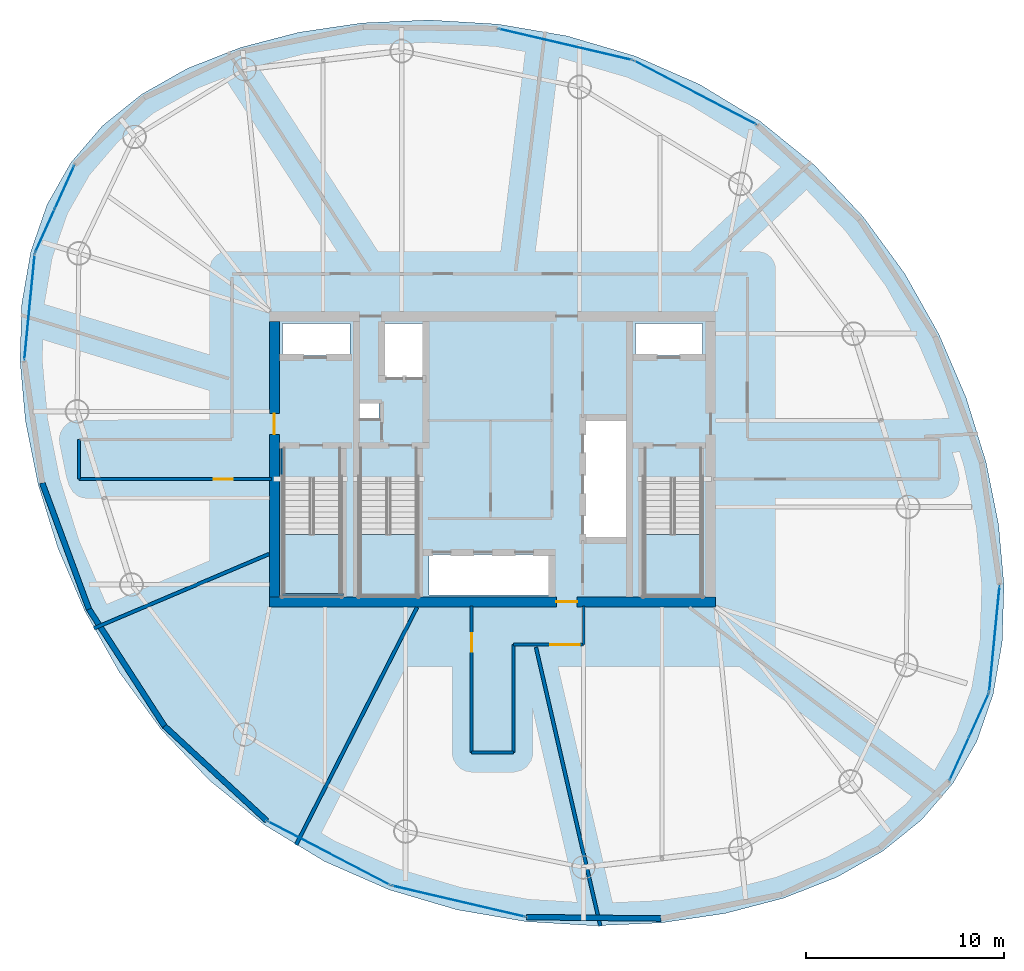
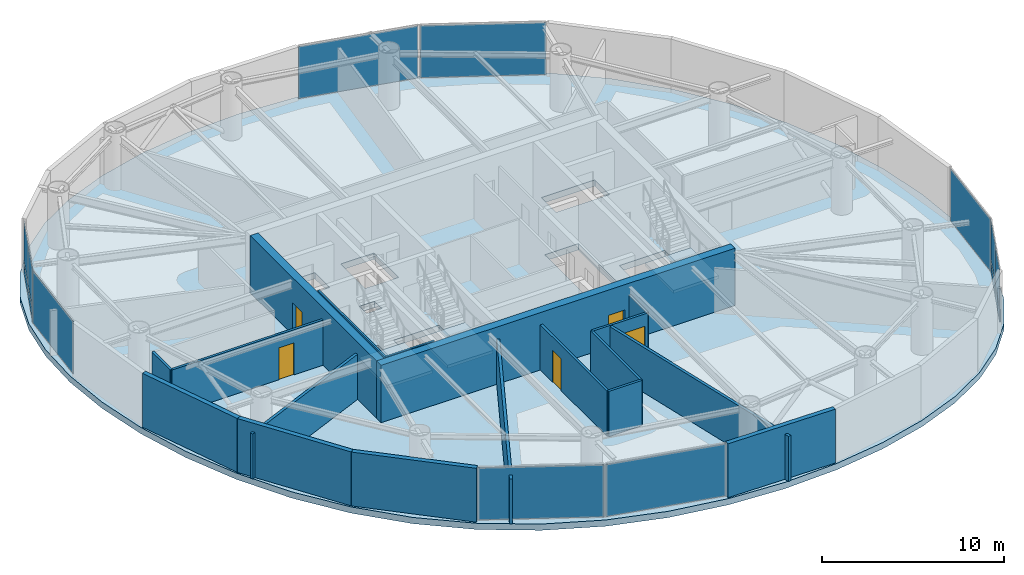
# One storey, part 17 of 25: 18 walls, 14 plates, 5 doors, 4 slabs, 5 openings, 11 elements without a shape of their own.
"""IFC4 building model written with IfcOpenShell, lengths in metres."""

from ifc_helpers import new_model, si_unit, direction, frame, frame_2d, origin, origin_2d, place, context, subcontext, project, spatial, polyline, rectangle, outline, extrude, material, layer, layer_set, type_object, element, fill, aggregate, save


model = new_model("IFC4")

# Units and contexts
model_context = context("Model", 3, precision=1e-05, world=origin(), true_north=direction((0.0, 1.0)))
body_context = subcontext(model_context, "Body", "Model", "MODEL_VIEW")
ifc_project = project(units=[si_unit("LENGTHUNIT", "METRE"), si_unit("AREAUNIT", "SQUARE_METRE"), si_unit("VOLUMEUNIT", "CUBIC_METRE"), si_unit("PLANEANGLEUNIT", "RADIAN"), si_unit("MASSUNIT", "GRAM", prefix="KILO")], contexts=[model_context])

# Site, building, storey
site_placement = place(None, origin())
site = spatial("IfcSite", under=ifc_project, at=site_placement, CompositionType="ELEMENT")
building_placement = place(site_placement, origin())
building = spatial("IfcBuilding", under=site, at=building_placement, Name="Bramvorn Convention Spire", CompositionType="ELEMENT")
storey_placement = place(building_placement, frame((0.0, 0.0, 171.199951171875)))
storey = spatial("IfcBuildingStorey", under=building, at=storey_placement, Name="L43", CompositionType="ELEMENT", Elevation=171.199951171875)

# Curtain wall, plates
ifc_material_1 = material(Name="Anodised Bronze Unitised Curtain Wall", Category="aluminium")
ifc_layer_1 = layer(ifc_material_1, 0.179931640625)
ifc_layer_set_1 = layer_set([ifc_layer_1], Name="Anodised Bronze Unitised Curtain Wall - CW-OFF-FRIT")
curtain_wall_type = type_object("IfcCurtainWallType", Name="CW-OFF-FRIT", PredefinedType="USERDEFINED", material=ifc_layer_set_1)
curtain_wall_1_placement = place(storey_placement, origin())
curtain_wall_1 = element("IfcCurtainWall", 1, at=curtain_wall_1_placement, inside=storey, type_object=curtain_wall_type, Name="L43 fritted glass curtain wall 01", ObjectType="UNITISED CURTAIN WALL", PredefinedType="USERDEFINED")
ifc_material_2 = material(Name="Laminated Low-E Glass (Triple IGU Solar Bronze Frit 28%)", Category="glass")
ifc_layer_2 = layer(ifc_material_2, 0.0400390625)
ifc_layer_set_2 = layer_set([ifc_layer_2], Name="Laminated Low-E Glass (Triple IGU Solar Bronze Frit 28%) - PNL-IGU-3")
plate_type = type_object("IfcPlateType", Name="PNL-IGU-3", PredefinedType="CURTAIN_PANEL", material=ifc_layer_set_2)
plate_1_placement = place(storey_placement, frame((62.5390625, 13.09619140625, 0.06005859375), z_axis=(0.0, 0.0, 1.0), x_axis=(-0.411250426753, -0.911522400436, 0.0)))
plate_1 = element("IfcPlate", 2, at=plate_1_placement, type_object=plate_type, Name="CW3 panel 1.1", PredefinedType="CURTAIN_PANEL", context=body_context, shape_type="SweptSolid", body=[
    extrude(rectangle(XDim=2.34814453125, YDim=0.028076171875, at=origin_2d()), origin(), (0.0, 0.0, 1.0), 0.81005859375),
])
plate_2_placement = place(storey_placement, frame((62.5390625, 13.09619140625, 0.93017578125), z_axis=(0.0, 0.0, 1.0), x_axis=(-0.411250426753, -0.911522400436, 0.0)))
plate_2 = element("IfcPlate", 3, at=plate_2_placement, type_object=plate_type, Name="CW3 panel 1.2", PredefinedType="CURTAIN_PANEL", context=body_context, shape_type="SweptSolid", body=[
    extrude(rectangle(XDim=2.34814453125, YDim=0.028076171875, at=origin_2d()), origin(), (0.0, 0.0, 1.0), 2.6298828125),
])
plate_3_placement = place(storey_placement, frame((61.548828125, 10.901123046875, 0.06005859375), z_axis=(0.0, 0.0, 1.0), x_axis=(-0.411250426753, -0.911522400436, 0.0)))
plate_3 = element("IfcPlate", 4, at=plate_3_placement, type_object=plate_type, Name="CW3 panel 2.1", PredefinedType="CURTAIN_PANEL", context=body_context, shape_type="SweptSolid", body=[
    extrude(rectangle(XDim=2.34814453125, YDim=0.028076171875, at=origin_2d()), origin(), (0.0, 0.0, 1.0), 0.81005859375),
])
plate_4_placement = place(storey_placement, frame((61.548828125, 10.901123046875, 0.93017578125), z_axis=(0.0, 0.0, 1.0), x_axis=(-0.411250426753, -0.911522400436, 0.0)))
plate_4 = element("IfcPlate", 5, at=plate_4_placement, type_object=plate_type, Name="CW3 panel 2.2", PredefinedType="CURTAIN_PANEL", context=body_context, shape_type="SweptSolid", body=[
    extrude(rectangle(XDim=2.34814453125, YDim=0.028076171875, at=origin_2d()), origin(), (0.0, 0.0, 1.0), 2.6298828125),
])
aggregate(curtain_wall_1, [plate_1, plate_2, plate_3, plate_4])

# Curtain wall, plate
curtain_wall_2_placement = place(storey_placement, origin())
curtain_wall_2 = element("IfcCurtainWall", 6, at=curtain_wall_2_placement, inside=storey, type_object=curtain_wall_type, Name="L43 fritted glass curtain wall 02", ObjectType="UNITISED CURTAIN WALL", PredefinedType="USERDEFINED")
plate_5_placement = place(storey_placement, frame((63.313232421875, 16.9404296875, 0.06005859375), z_axis=(0.0, 0.0, 1.0), x_axis=(-0.097519535036, -0.995233610911, 0.0)))
plate_5 = element("IfcPlate", 7, at=plate_5_placement, type_object=plate_type, Name="CW3 panel 1.1", PredefinedType="CURTAIN_PANEL", context=body_context, shape_type="SweptSolid", body=[
    extrude(rectangle(XDim=5.344482421875, YDim=0.028076171875, at=origin_2d()), origin(), (0.0, 0.0, 1.0), 3.5),
])
aggregate(curtain_wall_2, [plate_5])

curtain_wall_3_placement = place(storey_placement, origin())
curtain_wall_3 = element("IfcCurtainWall", 8, at=curtain_wall_3_placement, inside=storey, type_object=curtain_wall_type, Name="L43 fritted glass curtain wall 07", ObjectType="UNITISED CURTAIN WALL", PredefinedType="USERDEFINED")
plate_6_placement = place(storey_placement, frame((48.217529296875, 44.4912109375, 0.06005859375), z_axis=(0.0, 0.0, 1.0), x_axis=(0.886980583256, -0.461806718149, 0.0)))
plate_6 = element("IfcPlate", 9, at=plate_6_placement, type_object=plate_type, Name="CW3 panel 1.1", PredefinedType="CURTAIN_PANEL", context=body_context, shape_type="SweptSolid", body=[
    extrude(rectangle(XDim=6.925537109375, YDim=0.028076171875, at=origin_2d()), origin(), (0.0, 0.0, 1.0), 3.5),
])
aggregate(curtain_wall_3, [plate_6])

curtain_wall_4_placement = place(storey_placement, origin())
curtain_wall_4 = element("IfcCurtainWall", 10, at=curtain_wall_4_placement, inside=storey, type_object=curtain_wall_type, Name="L43 fritted glass curtain wall 08", ObjectType="UNITISED CURTAIN WALL", PredefinedType="USERDEFINED")
plate_7_placement = place(storey_placement, frame((41.67626953125, 46.9169921875, 0.06005859375), z_axis=(0.0, 0.0, 1.0), x_axis=(0.973738207311, -0.227670603334, 0.0)))
plate_7 = element("IfcPlate", 11, at=plate_7_placement, type_object=plate_type, Name="CW3 panel 1.1", PredefinedType="CURTAIN_PANEL", context=body_context, shape_type="SweptSolid", body=[
    extrude(rectangle(XDim=6.897705078125, YDim=0.028076171875, at=origin_2d()), origin(), (0.0, 0.0, 1.0), 3.5),
])
aggregate(curtain_wall_4, [plate_7])

# Curtain wall, plates
curtain_wall_5_placement = place(storey_placement, origin())
curtain_wall_5 = element("IfcCurtainWall", 12, at=curtain_wall_5_placement, inside=storey, type_object=curtain_wall_type, Name="L43 fritted glass curtain wall 13", ObjectType="UNITISED CURTAIN WALL", PredefinedType="USERDEFINED")
plate_8_placement = place(storey_placement, frame((15.423095703125, 37.52197265625, 0.06005859375), z_axis=(0.0, 0.0, 1.0), x_axis=(0.411241075015, 0.911526619589, 0.0)))
plate_8 = element("IfcPlate", 13, at=plate_8_placement, type_object=plate_type, Name="CW3 panel 1.1", PredefinedType="CURTAIN_PANEL", context=body_context, shape_type="SweptSolid", body=[
    extrude(rectangle(XDim=2.34814453125, YDim=0.028076171875, at=origin_2d()), origin(), (0.0, 0.0, 1.0), 0.81005859375),
])
plate_9_placement = place(storey_placement, frame((15.423095703125, 37.52197265625, 0.93017578125), z_axis=(0.0, 0.0, 1.0), x_axis=(0.411241075015, 0.911526619589, 0.0)))
plate_9 = element("IfcPlate", 14, at=plate_9_placement, type_object=plate_type, Name="CW3 panel 1.2", PredefinedType="CURTAIN_PANEL", context=body_context, shape_type="SweptSolid", body=[
    extrude(rectangle(XDim=2.34814453125, YDim=0.028076171875, at=origin_2d()), origin(), (0.0, 0.0, 1.0), 2.6298828125),
])
plate_10_placement = place(storey_placement, frame((16.41357421875, 39.717041015625, 0.06005859375), z_axis=(0.0, 0.0, 1.0), x_axis=(0.411241075015, 0.911526619589, 0.0)))
plate_10 = element("IfcPlate", 15, at=plate_10_placement, type_object=plate_type, Name="CW3 panel 2.1", PredefinedType="CURTAIN_PANEL", context=body_context, shape_type="SweptSolid", body=[
    extrude(rectangle(XDim=2.34814453125, YDim=0.028076171875, at=origin_2d()), origin(), (0.0, 0.0, 1.0), 0.81005859375),
])
plate_11_placement = place(storey_placement, frame((16.41357421875, 39.717041015625, 0.93017578125), z_axis=(0.0, 0.0, 1.0), x_axis=(0.411241075015, 0.911526619589, 0.0)))
plate_11 = element("IfcPlate", 16, at=plate_11_placement, type_object=plate_type, Name="CW3 panel 2.2", PredefinedType="CURTAIN_PANEL", context=body_context, shape_type="SweptSolid", body=[
    extrude(rectangle(XDim=2.34814453125, YDim=0.028076171875, at=origin_2d()), origin(), (0.0, 0.0, 1.0), 2.6298828125),
])
aggregate(curtain_wall_5, [plate_8, plate_9, plate_10, plate_11])

# Curtain wall, plate
curtain_wall_6_placement = place(storey_placement, origin())
curtain_wall_6 = element("IfcCurtainWall", 17, at=curtain_wall_6_placement, inside=storey, type_object=curtain_wall_type, Name="L43 fritted glass curtain wall 14", ObjectType="UNITISED CURTAIN WALL", PredefinedType="USERDEFINED")
plate_12_placement = place(storey_placement, frame((14.649169921875, 33.677978515625, 0.06005859375), z_axis=(0.0, 0.0, 1.0), x_axis=(0.097519535036, 0.995233610911, 0.0)))
plate_12 = element("IfcPlate", 18, at=plate_12_placement, type_object=plate_type, Name="CW3 panel 1.1", PredefinedType="CURTAIN_PANEL", context=body_context, shape_type="SweptSolid", body=[
    extrude(rectangle(XDim=5.344482421875, YDim=0.028076171875, at=origin_2d()), origin(), (0.0, 0.0, 1.0), 3.5),
])
aggregate(curtain_wall_6, [plate_12])

curtain_wall_7_placement = place(storey_placement, origin())
curtain_wall_7 = element("IfcCurtainWall", 19, at=curtain_wall_7_placement, inside=storey, type_object=curtain_wall_type, Name="L43 fritted glass curtain wall 19", ObjectType="UNITISED CURTAIN WALL", PredefinedType="USERDEFINED")
plate_13_placement = place(storey_placement, frame((29.744873046875, 6.126953125, 0.06005859375), z_axis=(0.0, 0.0, 1.0), x_axis=(-0.886977556262, 0.461812531974, 0.0)))
plate_13 = element("IfcPlate", 20, at=plate_13_placement, type_object=plate_type, Name="CW3 panel 1.1", PredefinedType="CURTAIN_PANEL", context=body_context, shape_type="SweptSolid", body=[
    extrude(rectangle(XDim=6.925537109375, YDim=0.028076171875, at=origin_2d()), origin(), (0.0, 0.0, 1.0), 3.5),
])
aggregate(curtain_wall_7, [plate_13])

curtain_wall_8_placement = place(storey_placement, origin())
curtain_wall_8 = element("IfcCurtainWall", 21, at=curtain_wall_8_placement, inside=storey, type_object=curtain_wall_type, Name="L43 fritted glass curtain wall 20", ObjectType="UNITISED CURTAIN WALL", PredefinedType="USERDEFINED")
plate_14_placement = place(storey_placement, frame((36.2861328125, 3.701416015625, 0.06005859375), z_axis=(0.0, 0.0, 1.0), x_axis=(-0.973738945923, 0.227667444297, 0.0)))
plate_14 = element("IfcPlate", 22, at=plate_14_placement, type_object=plate_type, Name="CW3 panel 1.1", PredefinedType="CURTAIN_PANEL", context=body_context, shape_type="SweptSolid", body=[
    extrude(rectangle(XDim=6.897705078125, YDim=0.028076171875, at=origin_2d()), origin(), (0.0, 0.0, 1.0), 3.5),
])
aggregate(curtain_wall_8, [plate_14])

# Stair, slab
ifc_material_3 = material(Name="Concrete C40/50 Precast Stair", Category="concrete")
stair_type = type_object("IfcStairType", Name="ST-TOWER-1550", PredefinedType="HALF_TURN_STAIR", material=ifc_material_3)
stair_1_placement = place(storey_placement, origin())
stair_1 = element("IfcStair", 23, at=stair_1_placement, inside=storey, type_object=stair_type, Name="L43 Protected Exit Stair ST1", PredefinedType="HALF_TURN_STAIR")
ifc_material_4 = material(Name="Concrete C40/50 Stair Landing", Category="concrete")
ifc_layer_3 = layer(ifc_material_4, 0.219970703125)
ifc_layer_set_3 = layer_set([ifc_layer_3], Name="Concrete C40/50 Stair Landing - SLB-STAIR-LANDING")
slab_type_1 = type_object("IfcSlabType", Name="SLB-STAIR-LANDING", PredefinedType="LANDING", material=ifc_layer_set_3)
slab_1_placement = place(storey_placement, frame((0.0, 0.0, 1.72509765625)))
slab_1 = element("IfcSlab", 24, at=slab_1_placement, type_object=slab_type_1, Name="ST1 landing 1", PredefinedType="LANDING", context=body_context, shape_type="SweptSolid", body=[
    extrude(outline(polyline([(27.449951171875, 22.199951171875), (27.449951171875, 19.10009765625), (30.35009765625, 19.10009765625), (30.35009765625, 22.199951171875), (27.449951171875, 22.199951171875)])), origin(), (0.0, 0.0, 1.0), 0.199951171875),
])
aggregate(stair_1, [slab_1])

stair_2_placement = place(storey_placement, origin())
stair_2 = element("IfcStair", 25, at=stair_2_placement, inside=storey, type_object=stair_type, Name="L43 Protected Exit Stair ST2", PredefinedType="HALF_TURN_STAIR")
slab_2_placement = place(storey_placement, frame((0.0, 0.0, 1.72509765625)))
slab_2 = element("IfcSlab", 26, at=slab_2_placement, type_object=slab_type_1, Name="ST2 landing 1", PredefinedType="LANDING", context=body_context, shape_type="SweptSolid", body=[
    extrude(outline(polyline([(45.64990234375, 22.199951171875), (45.64990234375, 19.10009765625), (48.550048828125, 19.10009765625), (48.550048828125, 22.199951171875), (45.64990234375, 22.199951171875)])), origin(), (0.0, 0.0, 1.0), 0.199951171875),
])
aggregate(stair_2, [slab_2])

stair_3_placement = place(storey_placement, origin())
stair_3 = element("IfcStair", 27, at=stair_3_placement, inside=storey, type_object=stair_type, Name="L43 Protected Exit Stair ST3", PredefinedType="HALF_TURN_STAIR")
slab_3_placement = place(storey_placement, frame((0.0, 0.0, 1.72509765625)))
slab_3 = element("IfcSlab", 28, at=slab_3_placement, type_object=slab_type_1, Name="ST3 landing 1", PredefinedType="LANDING", context=body_context, shape_type="SweptSolid", body=[
    extrude(outline(polyline([(31.300048828125, 22.199951171875), (31.300048828125, 19.10009765625), (34.199951171875, 19.10009765625), (34.199951171875, 22.199951171875), (31.300048828125, 22.199951171875)])), origin(), (0.0, 0.0, 1.0), 0.199951171875),
])
aggregate(stair_3, [slab_3])

# Slab
ifc_material_5 = material(Name="Concrete C60/70", Category="concrete")
ifc_layer_4 = layer(ifc_material_5, 0.419921875)
ifc_layer_set_4 = layer_set([ifc_layer_4], Name="Concrete C60/70 - SLB-TRF-420")
slab_type_2 = type_object("IfcSlabType", Name="SLB-TRF-420", PredefinedType="FLOOR", material=ifc_layer_set_4)
slab_4_placement = place(storey_placement, frame((0.0, 0.0, -0.419921875)))
element("IfcSlab", 29, at=slab_4_placement, inside=storey, type_object=slab_type_2, Name="L43 tower floor slab", PredefinedType="FLOOR", context=body_context, shape_type="SweptSolid", body=[
    extrude(outline(polyline([(61.22119140625, 9.649658203125), (62.4248046875, 11.762939453125), (63.2509765625, 14.14208984375), (63.706298828125, 16.775146484375), (63.796142578125, 19.63623046875), (63.524169921875, 22.68310546875), (62.889892578125, 25.857421875), (61.890869140625, 29.084716796875), (60.523681640625, 32.281494140625), (58.787841796875, 35.359130859375), (56.689453125, 38.230712890625), (54.24365234375, 40.818359375), (51.47900390625, 43.05859375), (48.437744140625, 44.90625), (45.177001953125, 46.336669921875), (41.76611328125, 47.344482421875), (38.28369140625, 47.941162109375), (34.81298828125, 48.150634765625), (31.437744140625, 48.003173828125), (28.235595703125, 47.530517578125), (25.275390625, 46.759521484375), (22.612060546875, 45.710205078125), (20.28662109375, 44.39404296875), (18.3251953125, 42.814208984375), (16.7412109375, 40.96875), (15.53759765625, 38.855224609375), (14.71142578125, 36.476318359375), (14.256103515625, 33.84326171875), (14.166259765625, 30.98193359375), (14.438232421875, 27.93505859375), (15.072509765625, 24.760986328125), (16.071533203125, 21.53369140625), (17.438720703125, 18.336669921875), (19.17431640625, 15.25927734375), (21.27294921875, 12.3876953125), (23.71875, 9.7998046875), (26.4833984375, 7.5595703125), (29.524658203125, 5.7119140625), (32.785400390625, 4.281494140625), (36.1962890625, 3.27392578125), (39.6787109375, 2.67724609375), (43.1494140625, 2.4677734375), (46.524658203125, 2.614990234375), (49.726806640625, 3.087890625), (52.68701171875, 3.85888671875), (55.350341796875, 4.908203125), (57.67578125, 6.22412109375), (59.63720703125, 7.80419921875), (61.22119140625, 9.649658203125)]), holes=[polyline([(27.449951171875, 25.050048828125), (27.449951171875, 19.10009765625), (30.35009765625, 19.10009765625), (30.35009765625, 25.050048828125), (27.449951171875, 25.050048828125)]), polyline([(45.64990234375, 25.050048828125), (45.64990234375, 19.10009765625), (48.550048828125, 19.10009765625), (48.550048828125, 25.050048828125), (45.64990234375, 25.050048828125)]), polyline([(31.300048828125, 25.050048828125), (31.300048828125, 19.10009765625), (34.199951171875, 19.10009765625), (34.199951171875, 25.050048828125), (31.300048828125, 25.050048828125)]), polyline([(27.39990234375, 31.219970703125), (30.800048828125, 31.219970703125), (30.800048828125, 32.85009765625), (27.39990234375, 32.85009765625), (27.39990234375, 31.219970703125)]), polyline([(45.199951171875, 31.219970703125), (48.60009765625, 31.219970703125), (48.60009765625, 32.85009765625), (45.199951171875, 32.85009765625), (45.199951171875, 31.219970703125)]), polyline([(32.449951171875, 30.14990234375), (34.56005859375, 30.14990234375), (34.56005859375, 32.85009765625), (32.449951171875, 32.85009765625), (32.449951171875, 30.14990234375)]), polyline([(34.800048828125, 19.14990234375), (40.97998046875, 19.14990234375), (40.97998046875, 21.199951171875), (34.800048828125, 21.199951171875), (34.800048828125, 19.14990234375)]), polyline([(42.6201171875, 22.0), (44.75, 22.0), (44.75, 28.0), (42.6201171875, 28.0), (42.6201171875, 22.0)]), polyline([(31.320068359375, 28.02001953125), (32.280029296875, 28.02001953125), (32.280029296875, 28.820068359375), (31.320068359375, 28.820068359375), (31.320068359375, 28.02001953125)])]), origin(), (0.0, 0.0, 1.0), 0.419921875),
])

# Wall, opening, door
ifc_material_6 = material(Name="Concrete C50/60", Category="concrete")
ifc_layer_5 = layer(ifc_material_6, 0.5)
ifc_layer_set_5 = layer_set([ifc_layer_5], Name="Concrete C50/60 - WL-CORE-500")
wall_type_1 = type_object("IfcWallType", Name="WL-CORE-500", PredefinedType="SHEAR", material=ifc_layer_set_5)
wall_1_placement = place(storey_placement, frame((26.75, 18.800048828125, 0.0), z_axis=(0.0, 0.0, 1.0), x_axis=(1.0, 0.0, 0.0)))
wall_1 = element("IfcWall", 30, at=wall_1_placement, inside=storey, type_object=wall_type_1, Name="L43 South RC core shear wall", PredefinedType="SHEAR", context=body_context, shape_type="SweptSolid", body=[
    extrude(rectangle(XDim=22.5, YDim=0.5, at=frame_2d((11.25, 0.0))), origin(), (0.0, 0.0, 1.0), 3.85009765625),
])
opening_1_placement = place(wall_1_placement, frame((14.469970703125, 0.0, 0.0)))
opening_1 = element("IfcOpeningElement", 31, at=opening_1_placement, cuts=wall_1, Name="Opening DL-105", PredefinedType="OPENING", context=body_context, shape_type="SweptSolid", body=[
    extrude(rectangle(XDim=1.050048828125, YDim=2.14990234375, at=frame_2d((0.52490234375, 1.074951171875))), frame((0.0, 0.260009765625, 0.0), z_axis=(0.0, -1.0, 0.0), x_axis=(1.0, 0.0, 0.0)), (0.0, 0.0, 1.0), 0.52001953125),
])
ifc_material_7 = material(Name="Smoke-Sealed Fire Lobby Timber-Core Door", Category="wood")
door_type_1 = type_object("IfcDoorType", Name="DR-LOBBY-1050", OperationType="NOTDEFINED", PredefinedType="DOOR", material=ifc_material_7)
door_1_placement = place(opening_1_placement, origin())
door_1 = element("IfcDoor", 32, at=door_1_placement, inside=storey, type_object=door_type_1, Name="L43 South Lift Lobby fire door", OperationType="SINGLE_SWING_RIGHT", OverallHeight=2.14990234375, OverallWidth=1.050048828125, PredefinedType="DOOR", context=body_context, shape_type="SweptSolid", body=[
    extrude(rectangle(XDim=1.050048828125, YDim=2.14990234375, at=frame_2d((0.52490234375, 1.074951171875))), frame((0.0, 0.02490234375, 0.0), z_axis=(0.0, -1.0, 0.0), x_axis=(1.0, 0.0, 0.0)), (0.0, 0.0, 1.0), 0.050048828125),
])
fill(opening_1, door_1)

wall_2_placement = place(storey_placement, frame((27.0, 19.050048828125, 0.0), z_axis=(0.0, 0.0, 1.0), x_axis=(0.0, 1.0, 0.0)))
wall_2 = element("IfcWall", 33, at=wall_2_placement, inside=storey, type_object=wall_type_1, Name="L43 West RC core shear wall", PredefinedType="SHEAR", context=body_context, shape_type="SweptSolid", body=[
    extrude(rectangle(XDim=13.89990234375, YDim=0.5, at=frame_2d((6.949951171875, 0.0))), origin(), (0.0, 0.0, 1.0), 3.85009765625),
])
opening_2_placement = place(wall_2_placement, frame((8.199951171875, 0.0, 0.0)))
opening_2 = element("IfcOpeningElement", 34, at=opening_2_placement, cuts=wall_2, Name="Opening DL-105", PredefinedType="OPENING", context=body_context, shape_type="SweptSolid", body=[
    extrude(rectangle(XDim=1.050048828125, YDim=2.14990234375, at=frame_2d((0.52490234375, 1.074951171875))), frame((0.0, 0.260009765625, 0.0), z_axis=(0.0, -1.0, 0.0), x_axis=(1.0, 0.0, 0.0)), (0.0, 0.0, 1.0), 0.52001953125),
])
door_2_placement = place(opening_2_placement, origin())
door_2 = element("IfcDoor", 35, at=door_2_placement, inside=storey, type_object=door_type_1, Name="L43 West Firefighting Lobby corridor door", OperationType="SINGLE_SWING_RIGHT", OverallHeight=2.14990234375, OverallWidth=1.050048828125, PredefinedType="DOOR", context=body_context, shape_type="SweptSolid", body=[
    extrude(rectangle(XDim=1.050048828125, YDim=2.14990234375, at=frame_2d((0.52490234375, 1.074951171875))), frame((0.0, 0.02490234375, 0.0), z_axis=(0.0, -1.0, 0.0), x_axis=(1.0, 0.0, 0.0)), (0.0, 0.0, 1.0), 0.050048828125),
])
fill(opening_2, door_2)

# Walls
ifc_material_8 = material(Name="Precast Concrete C40/50 with Bronze Terracotta Rainscreen", Category="masonry")
ifc_layer_6 = layer(ifc_material_8, 0.300048828125)
ifc_layer_set_6 = layer_set([ifc_layer_6], Name="Precast Concrete C40/50 with Bronze Terracotta Rainscreen - WL-EXT-BRONZE-300")
wall_type_2 = type_object("IfcWallType", Name="WL-EXT-BRONZE-300", PredefinedType="SOLIDWALL", material=ifc_layer_set_6)
wall_3_placement = place(storey_placement, frame((17.642578125, 18.435302734375, 0.0), z_axis=(0.0, 0.0, 1.0), x_axis=(-0.346860746189, 0.937916639555, 0.0)))
element("IfcWall", 36, at=wall_3_placement, inside=storey, type_object=wall_type_2, Name="L43 expressed bronze Gothic lancet pier wall 16", PredefinedType="SOLIDWALL", context=body_context, shape_type="SweptSolid", body=[
    extrude(rectangle(XDim=6.784423828125, YDim=0.280029296875, at=frame_2d((3.39208984375, 0.0))), origin(), (0.0, 0.0, 1.0), 3.6201171875),
])
wall_4_placement = place(storey_placement, frame((21.450439453125, 12.54052734375, 0.0), z_axis=(0.0, 0.0, 1.0), x_axis=(-0.542607772283, 0.839986193612, 0.0)))
element("IfcWall", 37, at=wall_4_placement, inside=storey, type_object=wall_type_2, Name="L43 expressed bronze Gothic lancet pier wall 17", PredefinedType="SOLIDWALL", context=body_context, shape_type="SweptSolid", body=[
    extrude(rectangle(XDim=7.017822265625, YDim=0.280029296875, at=frame_2d((3.5087890625, 0.0))), origin(), (0.0, 0.0, 1.0), 3.6201171875),
])
wall_5_placement = place(storey_placement, frame((26.620361328125, 7.75390625, 0.0), z_axis=(0.0, 0.0, 1.0), x_axis=(-0.73378498606, 0.67938177355, 0.0)))
element("IfcWall", 38, at=wall_5_placement, inside=storey, type_object=wall_type_2, Name="L43 expressed bronze Gothic lancet pier wall 18", PredefinedType="SOLIDWALL", context=body_context, shape_type="SweptSolid", body=[
    extrude(rectangle(XDim=7.045654296875, YDim=0.280029296875, at=frame_2d((3.52294921875, 0.0))), origin(), (0.0, 0.0, 1.0), 3.6201171875),
])
wall_6_placement = place(storey_placement, frame((46.487060546875, 2.831787109375, 0.0), z_axis=(0.0, 0.0, 1.0), x_axis=(-0.999945547735, 0.010435591221, 0.0)))
element("IfcWall", 39, at=wall_6_placement, inside=storey, type_object=wall_type_2, Name="L43 expressed bronze Gothic lancet pier wall 21", PredefinedType="SOLIDWALL", context=body_context, shape_type="SweptSolid", body=[
    extrude(rectangle(XDim=6.78466796875, YDim=0.280029296875, at=frame_2d((3.392333984375, 0.0))), origin(), (0.0, 0.0, 1.0), 3.6201171875),
])

# Wall, opening, door
ifc_material_9 = material(Name="Acoustic Metal-Stud Tenant/Corridor Partition", Category="gypsum")
ifc_layer_7 = layer(ifc_material_9, 0.14990234375)
ifc_layer_set_7 = layer_set([ifc_layer_7], Name="Acoustic Metal-Stud Tenant/Corridor Partition - WL-PART-150")
wall_type_3 = type_object("IfcWallType", Name="WL-PART-150", PredefinedType="PARTITIONING", material=ifc_layer_set_7)
wall_7_placement = place(storey_placement, frame((17.130615234375, 25.0, 0.0), z_axis=(0.0, 0.0, 1.0), x_axis=(1.0, 0.0, 0.0)))
wall_7 = element("IfcWall", 40, at=wall_7_placement, inside=storey, type_object=wall_type_3, Name="L43 West wing spine south wall", PredefinedType="PARTITIONING", context=body_context, shape_type="SweptSolid", body=[
    extrude(rectangle(XDim=9.719482421875, YDim=0.14990234375, at=frame_2d((4.85986328125, 0.0))), origin(), (0.0, 0.0, 1.0), 3.03515625),
])
opening_3_placement = place(wall_7_placement, frame((6.814453125, 0.0, 0.0)))
opening_3 = element("IfcOpeningElement", 41, at=opening_3_placement, cuts=wall_7, Name="Opening DH-095", PredefinedType="OPENING", context=body_context, shape_type="SweptSolid", body=[
    extrude(rectangle(XDim=0.949951171875, YDim=2.14990234375, at=frame_2d((0.47509765625, 1.074951171875))), frame((0.0, 0.0849609375, 0.0), z_axis=(0.0, -1.0, 0.0), x_axis=(1.0, 0.0, 0.0)), (0.0, 0.0, 1.0), 0.169921875),
])
ifc_material_10 = material(Name="Solid-Core Acoustic Guestroom Entry Door", Category="wood")
door_type_2 = type_object("IfcDoorType", Name="DR-HOTEL-950", OperationType="NOTDEFINED", PredefinedType="DOOR", material=ifc_material_10)
door_3_placement = place(opening_3_placement, origin())
door_3 = element("IfcDoor", 42, at=door_3_placement, inside=storey, type_object=door_type_2, Name="L43 Client Meeting Room B 5 door", OperationType="SINGLE_SWING_LEFT", OverallHeight=2.14990234375, OverallWidth=0.949951171875, PredefinedType="DOOR", context=body_context, shape_type="SweptSolid", body=[
    extrude(rectangle(XDim=0.949951171875, YDim=2.14990234375, at=frame_2d((0.47509765625, 1.074951171875))), frame((0.0, 0.02490234375, 0.0), z_axis=(0.0, -1.0, 0.0), x_axis=(1.0, 0.0, 0.0)), (0.0, 0.0, 1.0), 0.050048828125),
])
fill(opening_3, door_3)

# Wall
wall_8_placement = place(storey_placement, frame((17.130615234375, 25.0, 0.0), z_axis=(0.0, 0.0, 1.0), x_axis=(0.0, 1.0, 0.0)))
element("IfcWall", 43, at=wall_8_placement, inside=storey, type_object=wall_type_3, Name="L43 West wing spine end wall", PredefinedType="PARTITIONING", context=body_context, shape_type="SweptSolid", body=[
    extrude(rectangle(XDim=2.0, YDim=0.14990234375, at=frame_2d((1.0, 0.0))), origin(), (0.0, 0.0, 1.0), 3.03515625),
])

# Wall, opening, door
wall_9_placement = place(storey_placement, frame((36.949951171875, 11.199951171875, 0.0), z_axis=(0.0, 0.0, 1.0), x_axis=(0.0, 1.0, 0.0)))
wall_9 = element("IfcWall", 44, at=wall_9_placement, inside=storey, type_object=wall_type_3, Name="L43 South axial spine west wall", PredefinedType="PARTITIONING", context=body_context, shape_type="SweptSolid", body=[
    extrude(rectangle(XDim=7.400146484375, YDim=0.14990234375, at=frame_2d((3.7001953125, 0.0))), origin(), (0.0, 0.0, 1.0), 3.03515625),
])
opening_4_placement = place(wall_9_placement, frame((5.074951171875, 0.0, 0.0)))
opening_4 = element("IfcOpeningElement", 45, at=opening_4_placement, cuts=wall_9, Name="Opening DH-095", PredefinedType="OPENING", context=body_context, shape_type="SweptSolid", body=[
    extrude(rectangle(XDim=0.949951171875, YDim=2.14990234375, at=frame_2d((0.47509765625, 1.074951171875))), frame((0.0, 0.0849609375, 0.0), z_axis=(0.0, -1.0, 0.0), x_axis=(1.0, 0.0, 0.0)), (0.0, 0.0, 1.0), 0.169921875),
])
door_4_placement = place(opening_4_placement, origin())
door_4 = element("IfcDoor", 46, at=door_4_placement, inside=storey, type_object=door_type_2, Name="L43 Tenant Briefing Room 7 door", OperationType="SINGLE_SWING_LEFT", OverallHeight=2.14990234375, OverallWidth=0.949951171875, PredefinedType="DOOR", context=body_context, shape_type="SweptSolid", body=[
    extrude(rectangle(XDim=0.949951171875, YDim=2.14990234375, at=frame_2d((0.47509765625, 1.074951171875))), frame((0.0, 0.02490234375, 0.0), z_axis=(0.0, -1.0, 0.0), x_axis=(1.0, 0.0, 0.0)), (0.0, 0.0, 1.0), 0.050048828125),
])
fill(opening_4, door_4)

# Wall
wall_10_placement = place(storey_placement, frame((39.050048828125, 11.199951171875, 0.0), z_axis=(0.0, 0.0, 1.0), x_axis=(0.0, 1.0, 0.0)))
element("IfcWall", 47, at=wall_10_placement, inside=storey, type_object=wall_type_3, Name="L43 South axial spine east wall", PredefinedType="PARTITIONING", context=body_context, shape_type="SweptSolid", body=[
    extrude(rectangle(XDim=5.449951171875, YDim=0.14990234375, at=frame_2d((2.72509765625, 0.0))), origin(), (0.0, 0.0, 1.0), 3.03515625),
])

# Wall, opening, door
wall_11_placement = place(storey_placement, frame((39.050048828125, 16.64990234375, 0.0), z_axis=(0.0, 0.0, 1.0), x_axis=(1.0, 0.0, 0.0)))
wall_11 = element("IfcWall", 48, at=wall_11_placement, inside=storey, type_object=wall_type_3, Name="L43 South lift lobby link wall", PredefinedType="PARTITIONING", context=body_context, shape_type="SweptSolid", body=[
    extrude(rectangle(XDim=3.550048828125, YDim=0.14990234375, at=frame_2d((1.77490234375, 0.0))), origin(), (0.0, 0.0, 1.0), 3.03515625),
])
opening_5_placement = place(wall_11_placement, frame((1.85009765625, 0.0, 0.0)))
opening_5 = element("IfcOpeningElement", 49, at=opening_5_placement, cuts=wall_11, Name="Opening DC-150", PredefinedType="OPENING", context=body_context, shape_type="SweptSolid", body=[
    extrude(rectangle(XDim=1.5, YDim=2.199951171875, at=frame_2d((0.75, 1.10009765625))), frame((0.0, 0.0849609375, 0.0), z_axis=(0.0, -1.0, 0.0), x_axis=(1.0, 0.0, 0.0)), (0.0, 0.0, 1.0), 0.169921875),
])
ifc_material_11 = material(Name="Double-Leaf Smoke-Control Corridor Door", Category="wood")
door_type_3 = type_object("IfcDoorType", Name="DR-COR-1500", OperationType="NOTDEFINED", PredefinedType="DOOR", material=ifc_material_11)
door_5_placement = place(opening_5_placement, origin())
door_5 = element("IfcDoor", 50, at=door_5_placement, inside=storey, type_object=door_type_3, Name="L43 High-Rise Reception Concierge 8 door", OperationType="DOUBLE_DOOR_SINGLE_SWING", OverallHeight=2.199951171875, OverallWidth=1.5, PredefinedType="DOOR", context=body_context, shape_type="SweptSolid", body=[
    extrude(rectangle(XDim=1.5, YDim=2.199951171875, at=frame_2d((0.75, 1.10009765625))), frame((0.0, 0.02490234375, 0.0), z_axis=(0.0, -1.0, 0.0), x_axis=(1.0, 0.0, 0.0)), (0.0, 0.0, 1.0), 0.050048828125),
])
fill(opening_5, door_5)

# Walls
wall_12_placement = place(storey_placement, frame((42.60009765625, 16.64990234375, 0.0), z_axis=(0.0, 0.0, 1.0), x_axis=(0.0, 1.0, 0.0)))
element("IfcWall", 51, at=wall_12_placement, inside=storey, type_object=wall_type_3, Name="L43 South lift lobby east cheek", PredefinedType="PARTITIONING", context=body_context, shape_type="SweptSolid", body=[
    extrude(rectangle(XDim=1.9501953125, YDim=0.14990234375, at=frame_2d((0.97509765625, 0.0))), origin(), (0.0, 0.0, 1.0), 3.03515625),
])
wall_13_placement = place(storey_placement, frame((36.949951171875, 11.199951171875, 0.0), z_axis=(0.0, 0.0, 1.0), x_axis=(1.0, 0.0, 0.0)))
element("IfcWall", 52, at=wall_13_placement, inside=storey, type_object=wall_type_3, Name="L43 South axial spine end wall", PredefinedType="PARTITIONING", context=body_context, shape_type="SweptSolid", body=[
    extrude(rectangle(XDim=2.10009765625, YDim=0.14990234375, at=frame_2d((1.050048828125, 0.0))), origin(), (0.0, 0.0, 1.0), 3.03515625),
])
ifc_material_12 = material(Name="Double-Stud Acoustic Hotel/Suite Partition", Category="gypsum")
ifc_layer_8 = layer(ifc_material_12, 0.175048828125)
ifc_layer_set_8 = layer_set([ifc_layer_8], Name="Double-Stud Acoustic Hotel/Suite Partition - WL-PART-175")
wall_type_4 = type_object("IfcWallType", Name="WL-PART-175", PredefinedType="PARTITIONING", material=ifc_layer_set_8)
wall_14_placement = place(storey_placement, frame((26.72998046875, 21.21630859375, 0.0), z_axis=(0.0, 0.0, 1.0), x_axis=(-0.920506390996, -0.390727506244, 0.0)))
element("IfcWall", 53, at=wall_14_placement, inside=storey, type_object=wall_type_4, Name="L43 Tenant suite partition 6", PredefinedType="PARTITIONING", context=body_context, shape_type="SweptSolid", body=[
    extrude(rectangle(XDim=9.5986328125, YDim=0.175048828125, at=frame_2d((4.79931640625, 0.0))), origin(), (0.0, 0.0, 1.0), 3.03515625),
])
wall_15_placement = place(storey_placement, frame((34.19384765625, 18.530029296875, 0.0), z_axis=(0.0, 0.0, 1.0), x_axis=(-0.453989957323, -0.891006800563, 0.0)))
element("IfcWall", 54, at=wall_15_placement, inside=storey, type_object=wall_type_4, Name="L43 Tenant suite partition 7", PredefinedType="PARTITIONING", context=body_context, shape_type="SweptSolid", body=[
    extrude(rectangle(XDim=13.448974609375, YDim=0.175048828125, at=frame_2d((6.724609375, 0.0))), origin(), (0.0, 0.0, 1.0), 3.03515625),
])
wall_16_placement = place(storey_placement, frame((40.19091796875, 16.510009765625, 0.0), z_axis=(0.0, 0.0, 1.0), x_axis=(0.224955887238, -0.974368949011, 0.0)))
element("IfcWall", 55, at=wall_16_placement, inside=storey, type_object=wall_type_4, Name="L43 Tenant suite partition 8", PredefinedType="PARTITIONING", context=body_context, shape_type="SweptSolid", body=[
    extrude(rectangle(XDim=14.429931640625, YDim=0.175048828125, at=frame_2d((7.21484375, 0.0))), origin(), (0.0, 0.0, 1.0), 3.03515625),
])
ifc_layer_9 = layer(ifc_material_6, 0.1201171875)
ifc_layer_set_9 = layer_set([ifc_layer_9], Name="Concrete C50/60 - WL-STAIR-RC-120")
wall_type_5 = type_object("IfcWallType", Name="WL-STAIR-RC-120", PredefinedType="SHEAR", material=ifc_layer_set_9)
wall_17_placement = place(storey_placement, frame((27.39501953125, 19.10009765625, 0.0), z_axis=(0.0, 0.0, 1.0), x_axis=(0.0, 1.0, 0.0)))
element("IfcWall", 56, at=wall_17_placement, inside=storey, type_object=wall_type_5, Name="L43 ST1 west bearing shear wall", PredefinedType="SHEAR", context=body_context, shape_type="SweptSolid", body=[
    extrude(rectangle(XDim=7.449951171875, YDim=0.1201171875, at=frame_2d((3.72509765625, 0.0))), origin(), (0.0, 0.0, 1.0), 3.85009765625),
])
wall_18_placement = place(storey_placement, frame((27.39501953125, 19.159912109375, 0.0), z_axis=(0.0, 0.0, 1.0), x_axis=(1.0, 0.0, 0.0)))
element("IfcWall", 57, at=wall_18_placement, inside=storey, type_object=wall_type_5, Name="L43 ST1 south bearing shear wall", PredefinedType="SHEAR", context=body_context, shape_type="SweptSolid", body=[
    extrude(rectangle(XDim=3.094970703125, YDim=0.1201171875, at=frame_2d((1.54736328125, 0.0))), origin(), (0.0, 0.0, 1.0), 3.85009765625),
])

save(model, "model.ifc")
